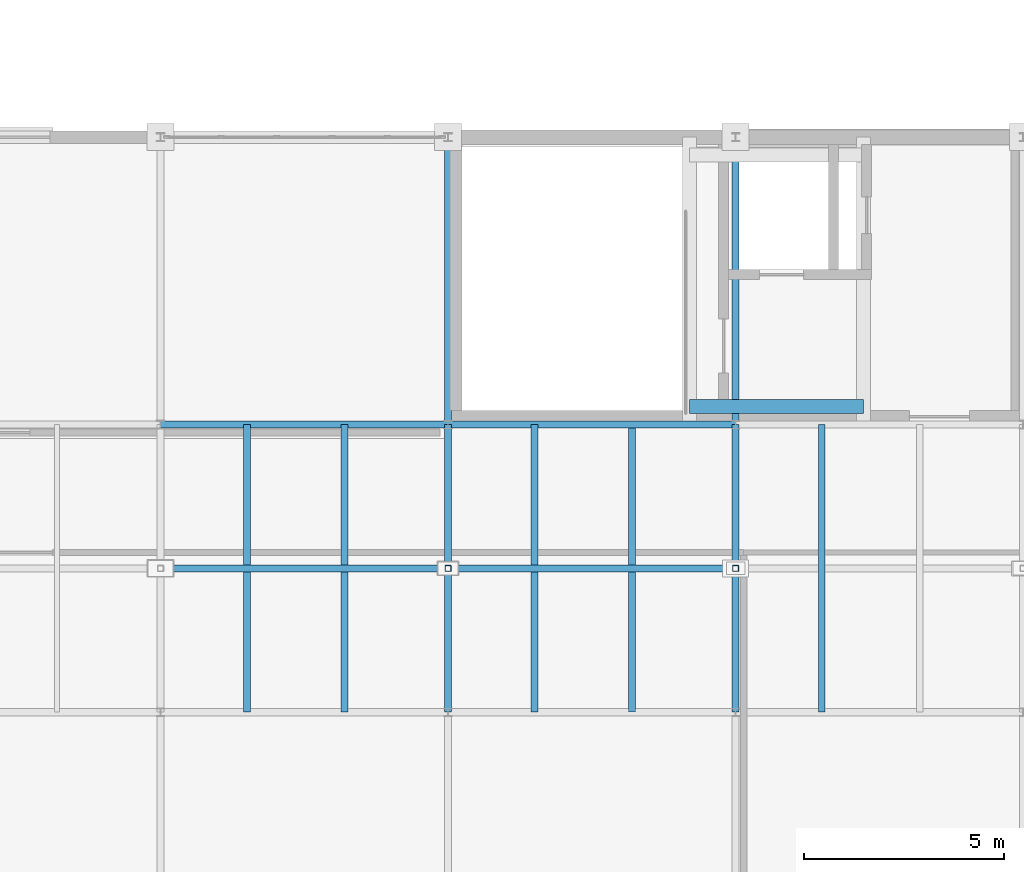
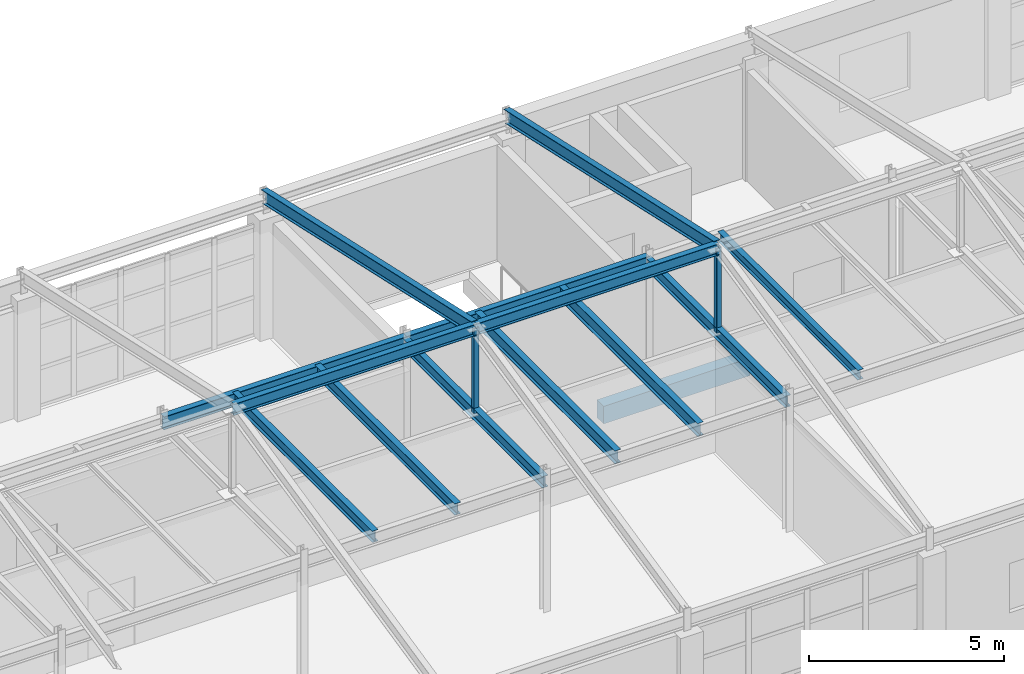
# One storey, part 57 of 101: 14 beams, 2 members.
"""IFC4 building model written with IfcOpenShell, lengths in metres."""

import ifcopenshell
import ifcopenshell.guid

model = None  # the IFC model being written
_history = None  # IfcOwnerHistory: only IFC2X3 demands one
_inside = {}  # id of a spatial element -> (the spatial element, [elements in it])
_under = {}  # id of a project, library or spatial element -> (it, [spatial elements below it])
_declared = {}  # id of a project -> (the project, [libraries it declares])
_typed = {}  # id of a type object -> (the type object, [elements of that type])
_made_of = {}  # id of a material, layer set ... -> (it, [elements and type objects made of it])


def new_model(schema):
    """Start an empty IFC model of exactly this schema.

    Asked for "IFC4X3", IfcOpenShell would pick the latest addendum, in which some entities
    have other attributes; the version numbers below select the first issue.
    IFC2X3 requires an IfcOwnerHistory on every rooted entity: one is made here for all.
    """
    global model, _history
    if schema == "IFC4X3":
        model = ifcopenshell.file(schema_version=(4, 3, 0, 0))
    else:
        model = ifcopenshell.file(schema=schema)
    _inside.clear()
    _under.clear()
    _declared.clear()
    _typed.clear()
    _made_of.clear()
    _history = None
    if model.schema == "IFC2X3":
        org = make("IfcOrganization", Name="unknown")
        user = make(
            "IfcPersonAndOrganization",
            ThePerson=make("IfcPerson", FamilyName="unknown"),
            TheOrganization=org,
        )
        app = make(
            "IfcApplication",
            ApplicationDeveloper=org,
            Version="unknown",
            ApplicationFullName="unknown",
            ApplicationIdentifier="unknown",
        )
        _history = make(
            "IfcOwnerHistory",
            OwningUser=user,
            OwningApplication=app,
            ChangeAction="ADDED",
            CreationDate=0,
        )
    return model


def make(cls, **values):
    """One entity of the class cls with the attributes given. An attribute that is None is left unset."""
    return model.create_entity(
        cls, **{name: value for name, value in values.items() if value is not None}
    )


def rooted(cls, **values):
    """An entity with a GlobalId (a new one), such as an element, a storey or a relation."""
    return make(cls, GlobalId=ifcopenshell.guid.new(), OwnerHistory=_history, **values)


def si_unit(unit_type, name, prefix=None):
    """IfcSIUnit, for example si_unit("LENGTHUNIT", "METRE", prefix="MILLI")."""
    return make("IfcSIUnit", UnitType=unit_type, Prefix=prefix, Name=name)


def assignment(units):
    """IfcUnitAssignment: the units of a project."""
    return None if units is None else make("IfcUnitAssignment", Units=units)


def point(xyz):
    """IfcCartesianPoint."""
    return None if xyz is None else make("IfcCartesianPoint", Coordinates=xyz)


def direction(xyz):
    """IfcDirection."""
    return None if xyz is None else make("IfcDirection", DirectionRatios=xyz)


def frame(location, z_axis=None, x_axis=None):
    """IfcAxis2Placement3D, a coordinate frame: its origin and axes. An axis left out is left unset."""
    return make(
        "IfcAxis2Placement3D",
        Location=point(location),
        Axis=direction(z_axis),
        RefDirection=direction(x_axis),
    )


def frame_2d(location, x_axis=None):
    """IfcAxis2Placement2D, a coordinate frame in the plane: its origin and x axis."""
    return make(
        "IfcAxis2Placement2D", Location=point(location), RefDirection=direction(x_axis)
    )


def origin():
    """The frame at (0, 0, 0) with its axes left unset."""
    return frame((0.0, 0.0, 0.0))


def origin_2d():
    """The frame at (0, 0) in the plane with its x axis left unset."""
    return frame_2d((0.0, 0.0))


def place(relative_to, where):
    """IfcLocalPlacement: puts the frame where relative to a parent placement (None: the world)."""
    return make(
        "IfcLocalPlacement", PlacementRelTo=relative_to, RelativePlacement=where
    )


def context(
    kind, dimensions, precision=None, world=None, true_north=None, identifier=None
):
    """IfcGeometricRepresentationContext, for example the 3D "Model" context."""
    return make(
        "IfcGeometricRepresentationContext",
        ContextIdentifier=identifier,
        ContextType=kind,
        CoordinateSpaceDimension=dimensions,
        Precision=precision,
        WorldCoordinateSystem=world,
        TrueNorth=true_north,
    )


def subcontext(parent, identifier, kind, view, scale=None):
    """IfcGeometricRepresentationSubContext, for example "Body" below "Model"."""
    return make(
        "IfcGeometricRepresentationSubContext",
        ContextIdentifier=identifier,
        ContextType=kind,
        ParentContext=parent,
        TargetScale=scale,
        TargetView=view,
    )


def project(units=None, contexts=None):
    """IfcProject with its units and contexts."""
    return rooted(
        "IfcProject",
        Name="project",
        RepresentationContexts=contexts,
        UnitsInContext=assignment(units),
    )


def spatial(cls, under=None, at=None, **own):
    """A site, building, storey or space (cls), placed at a placement, below another one or the project."""
    s = rooted(cls, ObjectPlacement=at, **own)
    if under is not None:
        _under.setdefault(under.id(), (under, []))[1].append(s)
    return s


def profile(cls, at=None, kind="AREA", **sizes):
    """A parametric profile (cls). Its sizes go by their IFC names, for example OverallWidth=200.0."""
    return make(cls, ProfileType=kind, Position=at, **sizes)


def rectangle(**sizes):
    """IfcRectangleProfileDef."""
    return profile("IfcRectangleProfileDef", **sizes)


def hollow_rectangle(**sizes):
    """IfcRectangleHollowProfileDef."""
    return profile("IfcRectangleHollowProfileDef", **sizes)


def i_section(**sizes):
    """IfcIShapeProfileDef."""
    return profile("IfcIShapeProfileDef", **sizes)


def extrude(swept, where, along, depth):
    """IfcExtrudedAreaSolid: the profile swept, set in the frame where, extruded along a direction by depth."""
    return make(
        "IfcExtrudedAreaSolid",
        SweptArea=swept,
        Position=where,
        ExtrudedDirection=direction(along),
        Depth=depth,
    )


def shape(context_of_items, identifier, shape_type, items):
    """IfcShapeRepresentation: the items that make up one representation, for example the "Body"."""
    return make(
        "IfcShapeRepresentation",
        ContextOfItems=context_of_items,
        RepresentationIdentifier=identifier,
        RepresentationType=shape_type,
        Items=items,
    )


def material(Name=None, Category=None):
    """IfcMaterial."""
    return make("IfcMaterial", Name=Name, Category=Category)


def material_profile(
    of_material, cross_section, Name=None, Category=None, Priority=None
):
    """IfcMaterialProfile: a cross section and its material."""
    return make(
        "IfcMaterialProfile",
        Name=Name,
        Material=of_material,
        Profile=cross_section,
        Priority=Priority,
        Category=Category,
    )


def profile_set(profiles, Name=None, composite=None):
    """IfcMaterialProfileSet."""
    return make(
        "IfcMaterialProfileSet",
        Name=Name,
        MaterialProfiles=profiles,
        CompositeProfile=composite,
    )


def made_of(thing, what):
    """Note that an element or type object is made of a material, layer set ...; save() writes the relation."""
    if what is not None:
        _made_of.setdefault(what.id(), (what, []))[1].append(thing)
    return thing


def type_object(cls, material=None, **own):
    """A type object (cls), such as IfcWallType, which elements share."""
    return made_of(rooted(cls, **own), material)


def element(
    cls,
    number,
    at=None,
    inside=None,
    cuts=None,
    type_object=None,
    material=None,
    context=None,
    identifier="Body",
    shape_type=None,
    held_by="IfcProductDefinitionShape",
    body=None,
    shapes=None,
    **own,
):
    """One element of the class cls, such as IfcWall. Its Tag is "e" and its number.

    at: its placement. inside: the storey or other place that contains it. cuts: it is an
    opening in that element (IfcRelVoidsElement). A single representation is given by context,
    identifier, shape_type and body (its items); several are given by shapes. held_by: the class
    of the entity that holds the representations. save() writes the other relations.
    """
    e = rooted(cls, Tag="e%d" % number, ObjectPlacement=at, **own)
    if body is not None:
        shapes = [shape(context, identifier, shape_type, body)]
    if shapes is not None:
        e.Representation = make(held_by, Representations=shapes)
    if inside is not None:
        _inside.setdefault(inside.id(), (inside, []))[1].append(e)
    if cuts is not None:
        rooted(
            "IfcRelVoidsElement", RelatingBuildingElement=cuts, RelatedOpeningElement=e
        )
    if type_object is not None:
        _typed.setdefault(type_object.id(), (type_object, []))[1].append(e)
    return made_of(e, material)


def aggregate(whole, parts):
    """IfcRelAggregates: a whole, such as a stair, and the parts it consists of."""
    return rooted("IfcRelAggregates", RelatingObject=whole, RelatedObjects=parts)


def save(model, path):
    """Write the relations noted so far, then the file.

    IfcRelAggregates (storeys below a building ...), IfcRelContainedInSpatialStructure (elements
    in a storey), IfcRelDefinesByType, IfcRelAssociatesMaterial and IfcRelDeclares: one each for
    every whole, place, type object, material and project.
    """
    for whole, parts in _under.values():
        aggregate(whole, parts)
    for where, things in _inside.values():
        rooted(
            "IfcRelContainedInSpatialStructure",
            RelatedElements=things,
            RelatingStructure=where,
        )
    for kind, things in _typed.values():
        rooted("IfcRelDefinesByType", RelatedObjects=things, RelatingType=kind)
    for what, things in _made_of.values():
        rooted("IfcRelAssociatesMaterial", RelatedObjects=things, RelatingMaterial=what)
    for by, libraries in _declared.values():
        rooted("IfcRelDeclares", RelatingContext=by, RelatedDefinitions=libraries)
    model.write(path)


model = new_model("IFC4")

# Units and contexts
model_context = context("Model", 3, precision=1e-05, world=origin(), true_north=direction((0.0, 1.0)))
body_context = subcontext(model_context, "Body", "Model", "MODEL_VIEW")
ifc_project = project(units=[si_unit("LENGTHUNIT", "METRE"), si_unit("AREAUNIT", "SQUARE_METRE"), si_unit("VOLUMEUNIT", "CUBIC_METRE"), si_unit("PLANEANGLEUNIT", "RADIAN"), si_unit("MASSUNIT", "GRAM", prefix="KILO")], contexts=[model_context])

# Site, building, storey
site_placement = place(None, origin())
site = spatial("IfcSite", under=ifc_project, at=site_placement, CompositionType="ELEMENT")
building_placement = place(site_placement, origin())
building = spatial("IfcBuilding", under=site, at=building_placement, Name="Kemerveld Promenade Tramway Depot", CompositionType="ELEMENT")
storey_placement = place(building_placement, frame((0.0, 0.0, 9.89990234375)))
storey = spatial("IfcBuildingStorey", under=building, at=storey_placement, Name="L02", CompositionType="ELEMENT", Elevation=9.89990234375)

# Beams
ifc_material_1 = material(Name="Steel S355", Category="steel")
ifc_material_profile_1 = material_profile(ifc_material_1, i_section(OverallWidth=0.1787109375, OverallDepth=0.409423828125, WebThickness=0.0087890625, FlangeThickness=0.014404296875, FilletRadius=0.01025390625, at=origin_2d()), Name="406x178x67 UB")
ifc_profile_set_1 = profile_set([ifc_material_profile_1], Name="Steel S355")
beam_type_1 = type_object("IfcBeamType", Name="BM-G07", PredefinedType="BEAM", material=ifc_profile_set_1)
beam_1_placement = place(storey_placement, frame((79.199951171875, 21.60009765625, 4.0703125), z_axis=(1.0, 0.0, 0.0), x_axis=(0.0, 1.0, 0.0)))
element("IfcBeam", 1, at=beam_1_placement, inside=storey, type_object=beam_type_1, Name="BMX-L02-12-13-D", PredefinedType="BEAM", context=body_context, shape_type="SweptSolid", body=[
    extrude(i_section(OverallWidth=0.1787109375, OverallDepth=0.409423828125, WebThickness=0.0087890625, FlangeThickness=0.014404296875, FilletRadius=0.01025390625, at=origin_2d()), origin(), (0.0, 0.0, 1.0), 7.199951171875),
])
beam_2_placement = place(storey_placement, frame((86.39990234375, 21.60009765625, 4.0703125), z_axis=(1.0, 0.0, 0.0), x_axis=(0.0, 1.0, 0.0)))
element("IfcBeam", 2, at=beam_2_placement, inside=storey, type_object=beam_type_1, Name="BMX-L02-13-14-D", PredefinedType="BEAM", context=body_context, shape_type="SweptSolid", body=[
    extrude(i_section(OverallWidth=0.1787109375, OverallDepth=0.409423828125, WebThickness=0.0087890625, FlangeThickness=0.014404296875, FilletRadius=0.01025390625, at=origin_2d()), origin(), (0.0, 0.0, 1.0), 7.2001953125),
])
for number, where, z_axis, x_axis, name in (
    (3, (86.39990234375, 18.0, 6.67529296875), (0.0, 0.976189137057, -0.216921111677), (-1.0, 0.0, 0.0), "RAF-V4-13-N"),
    (4, (93.60009765625, 18.0, 6.67529296875), (0.0, 0.976189137057, -0.216921111677), (-1.0, 0.0, 0.0), "RAF-V4-14-N"),
):
    element("IfcBeam", number, at=place(storey_placement, frame(where, z_axis=z_axis, x_axis=x_axis)), inside=storey, type_object=beam_type_1, Name=name, PredefinedType="BEAM", context=body_context, shape_type="SweptSolid", body=[
        extrude(i_section(OverallWidth=0.1787109375, OverallDepth=0.409423828125, WebThickness=0.0087890625, FlangeThickness=0.014404296875, FilletRadius=0.01025390625, at=origin_2d()), origin(), (0.0, 0.0, 1.0), 11.0634765625),
    ])
ifc_material_profile_2 = material_profile(ifc_material_1, i_section(OverallWidth=0.172119140625, OverallDepth=0.35791015625, WebThickness=0.008056640625, FlangeThickness=0.012939453125, FilletRadius=0.01025390625, at=origin_2d()), Name="356x171x57 UB")
ifc_profile_set_2 = profile_set([ifc_material_profile_2], Name="Steel S355")
beam_type_2 = type_object("IfcBeamType", Name="BM-G08", PredefinedType="BEAM", material=ifc_profile_set_2)
for number, where, z_axis, x_axis, name in (
    (5, (86.39990234375, 14.39990234375, 4.041015625), (0.0, 1.0, 0.0), (-1.0, 0.0, 0.0), "BMY-L02-13-C-D"),
    (6, (93.60009765625, 14.39990234375, 4.041015625), (0.0, 1.0, 0.0), (-1.0, 0.0, 0.0), "BMY-L02-14-C-D"),
):
    element("IfcBeam", number, at=place(storey_placement, frame(where, z_axis=z_axis, x_axis=x_axis)), inside=storey, type_object=beam_type_2, Name=name, PredefinedType="BEAM", context=body_context, shape_type="SweptSolid", body=[
        extrude(i_section(OverallWidth=0.172119140625, OverallDepth=0.35791015625, WebThickness=0.008056640625, FlangeThickness=0.012939453125, FilletRadius=0.01025390625, at=origin_2d()), origin(), (0.0, 0.0, 1.0), 7.2001953125),
    ])
beam_3_placement = place(storey_placement, frame((79.199951171875, 18.0, 6.67529296875), z_axis=(1.0, 0.0, 0.0), x_axis=(0.0, 1.0, 0.0)))
element("IfcBeam", 7, at=beam_3_placement, inside=storey, type_object=beam_type_2, Name="BM-RDG-V4-4", PredefinedType="BEAM", context=body_context, shape_type="SweptSolid", body=[
    extrude(i_section(OverallWidth=0.172119140625, OverallDepth=0.35791015625, WebThickness=0.008056640625, FlangeThickness=0.012939453125, FilletRadius=0.01025390625, at=origin_2d()), origin(), (0.0, 0.0, 1.0), 7.199951171875),
])
beam_4_placement = place(storey_placement, frame((86.39990234375, 18.0, 6.67529296875), z_axis=(1.0, 0.0, 0.0), x_axis=(0.0, 1.0, 0.0)))
element("IfcBeam", 8, at=beam_4_placement, inside=storey, type_object=beam_type_2, Name="BM-RDG-V4-5", PredefinedType="BEAM", context=body_context, shape_type="SweptSolid", body=[
    extrude(i_section(OverallWidth=0.172119140625, OverallDepth=0.35791015625, WebThickness=0.008056640625, FlangeThickness=0.012939453125, FilletRadius=0.01025390625, at=origin_2d()), origin(), (0.0, 0.0, 1.0), 7.2001953125),
])
ifc_material_profile_3 = material_profile(ifc_material_1, i_section(OverallWidth=0.165771484375, OverallDepth=0.306640625, WebThickness=0.006591796875, FlangeThickness=0.01171875, FilletRadius=0.0087890625, at=origin_2d()), Name="305x165x46 UB")
ifc_profile_set_3 = profile_set([ifc_material_profile_3], Name="Steel S355")
beam_type_3 = type_object("IfcBeamType", Name="BM-J01", PredefinedType="JOIST", material=ifc_profile_set_3)
beam_5_placement = place(storey_placement, frame((95.760009765625, 14.39990234375, 4.121826171875), z_axis=(0.0, 1.0, 0.0), x_axis=(-1.0, 0.0, 0.0)))
element("IfcBeam", 9, at=beam_5_placement, inside=storey, type_object=beam_type_3, Name="JST-L02-14-C-1", PredefinedType="JOIST", context=body_context, shape_type="SweptSolid", body=[
    extrude(i_section(OverallWidth=0.165771484375, OverallDepth=0.306640625, WebThickness=0.006591796875, FlangeThickness=0.01171875, FilletRadius=0.0087890625, at=origin_2d()), origin(), (0.0, 0.0, 1.0), 7.2001953125),
])
ifc_material_profile_4 = material_profile(ifc_material_1, i_section(OverallWidth=0.172119140625, OverallDepth=0.35791015625, WebThickness=0.008056640625, FlangeThickness=0.012939453125, FilletRadius=0.01025390625, at=origin_2d()), Name="356x171x57 UB")
ifc_profile_set_4 = profile_set([ifc_material_profile_4], Name="Steel S355")
beam_type_4 = type_object("IfcBeamType", Name="BM-J04", PredefinedType="JOIST", material=ifc_profile_set_4)
for number, where, z_axis, x_axis, name in (
    (10, (81.360107421875, 14.39990234375, 4.09619140625), (0.0, 1.0, 0.0), (-1.0, 0.0, 0.0), "JST-L02-12-C-1"),
    (11, (83.80810546875, 14.39990234375, 4.09619140625), (0.0, 1.0, 0.0), (-1.0, 0.0, 0.0), "JST-L02-12-C-2"),
):
    element("IfcBeam", number, at=place(storey_placement, frame(where, z_axis=z_axis, x_axis=x_axis)), inside=storey, type_object=beam_type_4, Name=name, PredefinedType="JOIST", context=body_context, shape_type="SweptSolid", body=[
        extrude(i_section(OverallWidth=0.172119140625, OverallDepth=0.35791015625, WebThickness=0.008056640625, FlangeThickness=0.012939453125, FilletRadius=0.01025390625, at=origin_2d()), origin(), (0.0, 0.0, 1.0), 7.2001953125),
    ])
ifc_material_profile_5 = material_profile(ifc_material_1, i_section(OverallWidth=0.1787109375, OverallDepth=0.409423828125, WebThickness=0.0087890625, FlangeThickness=0.014404296875, FilletRadius=0.01025390625, at=origin_2d()), Name="406x178x67 UB")
ifc_profile_set_5 = profile_set([ifc_material_profile_5], Name="Steel S355")
beam_type_5 = type_object("IfcBeamType", Name="BM-J05", PredefinedType="JOIST", material=ifc_profile_set_5)
for number, where, z_axis, x_axis, name in (
    (12, (88.56005859375, 14.39990234375, 4.0703125), (0.0, 1.0, 0.0), (-1.0, 0.0, 0.0), "JST-L02-13-C-1"),
    (13, (91.008056640625, 14.39990234375, 4.0703125), (0.0, 1.0, 0.0), (-1.0, 0.0, 0.0), "JST-L02-13-C-2"),
):
    element("IfcBeam", number, at=place(storey_placement, frame(where, z_axis=z_axis, x_axis=x_axis)), inside=storey, type_object=beam_type_5, Name=name, PredefinedType="JOIST", context=body_context, shape_type="SweptSolid", body=[
        extrude(i_section(OverallWidth=0.1787109375, OverallDepth=0.409423828125, WebThickness=0.0087890625, FlangeThickness=0.014404296875, FilletRadius=0.01025390625, at=origin_2d()), origin(), (0.0, 0.0, 1.0), 7.2001953125),
    ])
ifc_material_2 = material(Name="Concrete C40/50", Category="concrete")
ifc_material_profile_6 = material_profile(ifc_material_2, rectangle(XDim=0.35009765625, YDim=0.550048828125, at=origin_2d()), Name="RC-BM-350x550")
ifc_profile_set_6 = profile_set([ifc_material_profile_6], Name="Concrete C40/50")
beam_type_6 = type_object("IfcBeamType", Name="BM-RC3", PredefinedType="BEAM", material=ifc_profile_set_6)
beam_6_placement = place(storey_placement, frame((92.449951171875, 22.050048828125, -0.52978515625), z_axis=(1.0, 0.0, 0.0), x_axis=(0.0, 1.0, 0.0)))
element("IfcBeam", 14, at=beam_6_placement, inside=storey, type_object=beam_type_6, Name="BM-COREX-C4-L02-S", PredefinedType="BEAM", context=body_context, shape_type="SweptSolid", body=[
    extrude(rectangle(XDim=0.35009765625, YDim=0.550048828125, at=origin_2d()), origin(), (0.0, 0.0, 1.0), 4.35009765625),
])

# Members
ifc_material_profile_7 = material_profile(ifc_material_1, hollow_rectangle(XDim=0.14990234375, YDim=0.14990234375, WallThickness=0.008056640625, InnerFilletRadius=0.00390625, OuterFilletRadius=0.011962890625, at=origin_2d()), Name="150x150x8.0 SHS")
ifc_profile_set_7 = profile_set([ifc_material_profile_7], Name="Steel S355")
member_type = type_object("IfcMemberType", Name="MB-TP2", PredefinedType="POST", material=ifc_profile_set_7)
for number, where, z_axis, x_axis, name in (
    (15, (86.39990234375, 18.0, 4.050048828125), (0.0, 0.0, 1.0), (1.0, 0.0, 0.0), "POST-RDG-V4-13"),
    (16, (93.60009765625, 18.0, 4.050048828125), (0.0, 0.0, 1.0), (1.0, 0.0, 0.0), "POST-RDG-V4-14"),
):
    element("IfcMember", number, at=place(storey_placement, frame(where, z_axis=z_axis, x_axis=x_axis)), inside=storey, type_object=member_type, Name=name, PredefinedType="POST", context=body_context, shape_type="SweptSolid", body=[
        extrude(hollow_rectangle(XDim=0.14990234375, YDim=0.14990234375, WallThickness=0.008056640625, InnerFilletRadius=0.00390625, OuterFilletRadius=0.011962890625, at=origin_2d()), origin(), (0.0, 0.0, 1.0), 2.665283203125),
    ])

save(model, "model.ifc")
